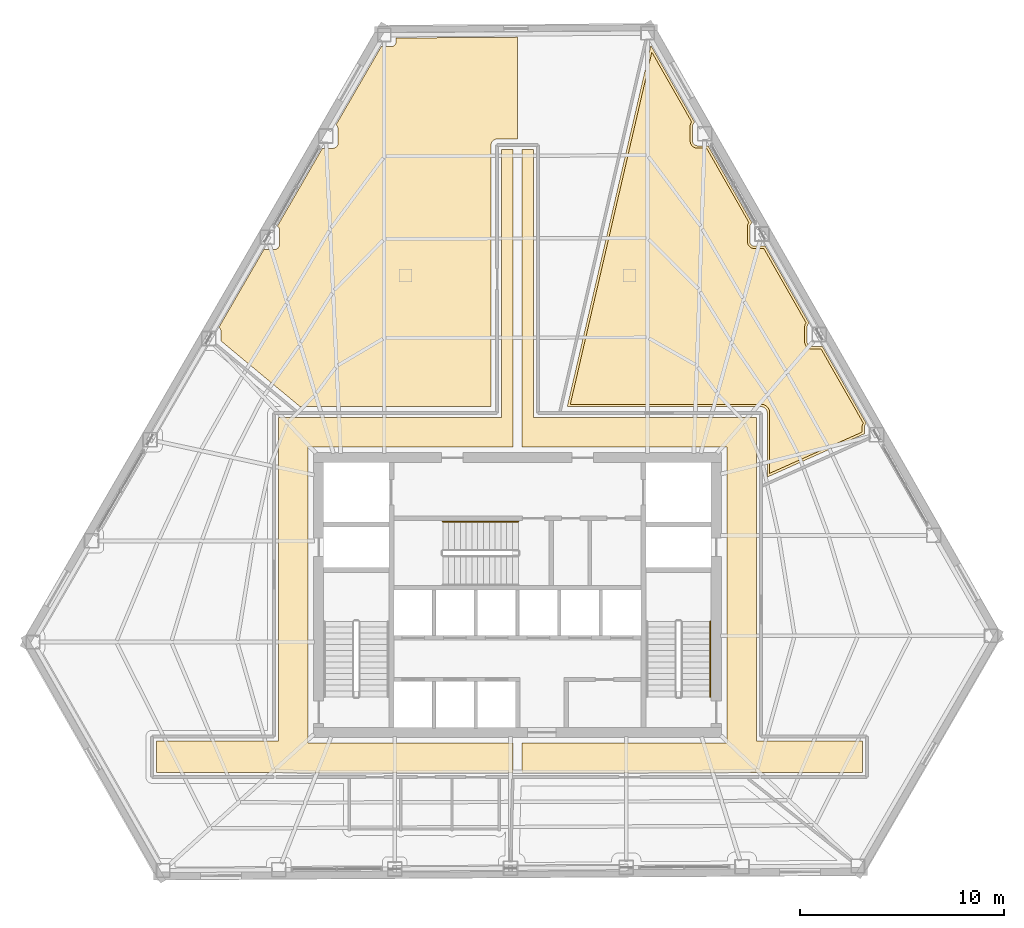
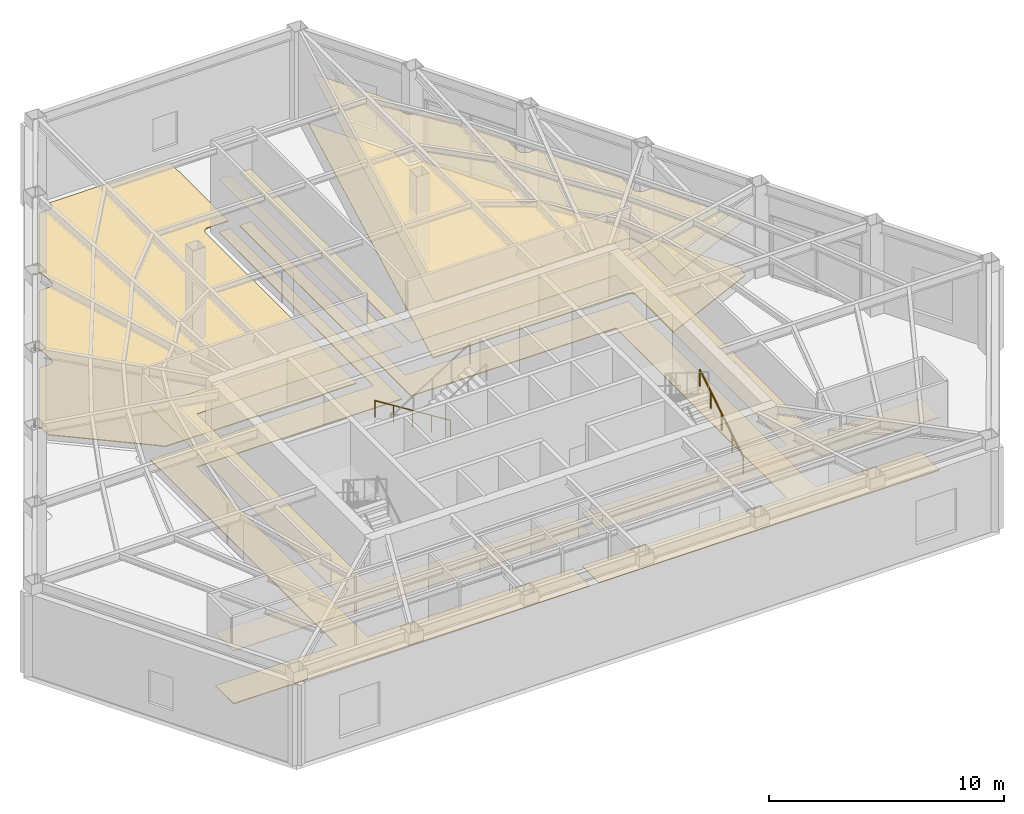
# One storey, part 14 of 14: 7 coverings, 2 railings.
"""IFC4 building model written with IfcOpenShell, lengths in metres."""

from ifc_helpers import new_model, si_unit, direction, frame, origin, origin_2d, place, context, subcontext, project, spatial, polyline, circle, outline, extrude, material, layer, layer_set, type_object, element, save


model = new_model("IFC4")

# Units and contexts
model_context = context("Model", 3, precision=1e-05, world=origin(), true_north=direction((0.0, 1.0)))
body_context = subcontext(model_context, "Body", "Model", "MODEL_VIEW")
ifc_project = project(units=[si_unit("LENGTHUNIT", "METRE"), si_unit("AREAUNIT", "SQUARE_METRE"), si_unit("VOLUMEUNIT", "CUBIC_METRE"), si_unit("PLANEANGLEUNIT", "RADIAN"), si_unit("MASSUNIT", "GRAM", prefix="KILO")], contexts=[model_context])

# Site, building, storey
site_placement = place(None, origin())
site = spatial("IfcSite", under=ifc_project, at=site_placement, CompositionType="ELEMENT")
building_placement = place(site_placement, origin())
building = spatial("IfcBuilding", under=site, at=building_placement, Name="Kavelnor Concourse Tower", CompositionType="ELEMENT")
storey_placement = place(building_placement, frame((0.0, 0.0, 80.5)))
storey = spatial("IfcBuildingStorey", under=building, at=storey_placement, Name="L20", CompositionType="ELEMENT", Elevation=80.5)

# Coverings
ifc_material_1 = material(Name="Mineral fibre acoustic ceiling tile")
ifc_layer_1 = layer(ifc_material_1, 0.0400390625, Name="Mineral fibre acoustic ceiling tile")
ifc_layer_set_1 = layer_set([ifc_layer_1], Name="Mineral fibre acoustic ceiling tile")
covering_type_1 = type_object("IfcCoveringType", Name="COV-CEILING-ACOUSTIC", PredefinedType="CEILING", material=ifc_layer_set_1)
covering_1_placement = place(storey_placement, frame((0.0, 0.0, 2.75)))
element("IfcCovering", 1, at=covering_1_placement, inside=storey, type_object=covering_type_1, Name="L20 Suspended Acoustic Ceiling", PredefinedType="CEILING", context=body_context, shape_type="SweptSolid", body=[
    extrude(outline(polyline([(37.219970703125, 37.97998046875), (37.77490234375, 37.97998046875), (37.77490234375, 23.3701171875), (27.7099609375, 23.3701171875), (27.7099609375, 8.830078125), (37.77490234375, 8.830078125), (37.77490234375, 7.3701171875), (20.26953125, 7.3701171875), (20.26953125, 8.929931640625), (26.25, 8.929931640625), (26.25, 24.830078125), (37.219970703125, 24.830078125), (37.219970703125, 37.97998046875)])), origin(), (0.0, 0.0, 1.0), 0.0400390625),
])
covering_2_placement = place(storey_placement, frame((0.0, 0.0, 2.75)))
element("IfcCovering", 2, at=covering_2_placement, inside=storey, type_object=covering_type_1, Name="L20 Suspended Acoustic Ceiling", PredefinedType="CEILING", context=body_context, shape_type="SweptSolid", body=[
    extrude(outline(polyline([(38.780029296875, 37.97998046875), (38.780029296875, 24.830078125), (49.75, 24.830078125), (49.75, 8.929931640625), (54.9619140625, 8.929931640625), (54.9619140625, 7.3701171875), (38.22509765625, 7.3701171875), (38.22509765625, 8.830078125), (48.2900390625, 8.830078125), (48.2900390625, 23.3701171875), (38.22509765625, 23.3701171875), (38.22509765625, 37.97998046875), (38.780029296875, 37.97998046875)])), origin(), (0.0, 0.0, 1.0), 0.0400390625),
])
covering_3_placement = place(storey_placement, frame((0.0, 0.0, 2.75)))
element("IfcCovering", 3, at=covering_3_placement, inside=storey, type_object=covering_type_1, Name="L20 Suspended Acoustic Ceiling", PredefinedType="CEILING", context=body_context, shape_type="SweptSolid", body=[
    extrude(outline(polyline([(46.527099609375, 39.30126953125), (46.511962890625, 39.269287109375), (46.5, 39.23583984375), (46.491455078125, 39.20166015625), (46.486083984375, 39.16650390625), (46.48486328125, 39.1396484375), (46.48486328125, 38.403076171875), (46.486083984375, 38.3759765625), (46.491455078125, 38.341064453125), (46.5, 38.306640625), (46.511962890625, 38.2734375), (46.527099609375, 38.241455078125), (46.545166015625, 38.211181640625), (46.56640625, 38.1826171875), (46.590087890625, 38.156494140625), (46.6162109375, 38.1328125), (46.644775390625, 38.111572265625), (46.675048828125, 38.093505859375), (46.70703125, 38.078369140625), (46.740234375, 38.06640625), (46.774658203125, 38.057861328125), (46.8095703125, 38.052490234375), (46.836669921875, 38.05126953125), (47.293212890625, 38.05126953125), (49.3681640625, 34.410888671875), (49.35791015625, 34.397216796875), (49.339599609375, 34.36669921875), (49.32470703125, 34.334716796875), (49.312744140625, 34.301513671875), (49.30419921875, 34.26708984375), (49.298828125, 34.232177734375), (49.297607421875, 34.205078125), (49.297607421875, 33.468505859375), (49.298828125, 33.441650390625), (49.30419921875, 33.406494140625), (49.312744140625, 33.372314453125), (49.32470703125, 33.339111328125), (49.339599609375, 33.306884765625), (49.35791015625, 33.276611328125), (49.37890625, 33.248291015625), (49.40283203125, 33.22216796875), (49.428955078125, 33.1982421875), (49.45751953125, 33.17724609375), (49.48779296875, 33.158935546875), (49.519775390625, 33.143798828125), (49.552978515625, 33.132080078125), (49.58740234375, 33.123291015625), (49.622314453125, 33.1181640625), (49.6494140625, 33.116943359375), (50.105712890625, 33.116943359375), (52.180908203125, 29.476318359375), (52.170654296875, 29.462646484375), (52.15234375, 29.432373046875), (52.13720703125, 29.400390625), (52.12548828125, 29.366943359375), (52.11669921875, 29.332763671875), (52.111572265625, 29.297607421875), (52.1103515625, 29.270751953125), (52.1103515625, 28.5341796875), (52.111572265625, 28.507080078125), (52.11669921875, 28.47216796875), (52.12548828125, 28.437744140625), (52.13720703125, 28.404541015625), (52.15234375, 28.37255859375), (52.170654296875, 28.34228515625), (52.191650390625, 28.313720703125), (52.215576171875, 28.28759765625), (52.24169921875, 28.263916015625), (52.27001953125, 28.24267578125), (52.30029296875, 28.224609375), (52.33251953125, 28.20947265625), (52.36572265625, 28.197509765625), (52.39990234375, 28.18896484375), (52.43505859375, 28.18359375), (52.4619140625, 28.182373046875), (52.91845703125, 28.182373046875), (54.993408203125, 24.5419921875), (54.9833984375, 24.528076171875), (54.965087890625, 24.497802734375), (54.949951171875, 24.4658203125), (54.93798828125, 24.4326171875), (54.929443359375, 24.398193359375), (54.92431640625, 24.36328125), (54.923095703125, 24.336181640625), (54.923095703125, 24.101318359375), (50.392578125, 22.080810546875), (50.392578125, 25.058349609375), (50.390869140625, 25.091552734375), (50.384765625, 25.132568359375), (50.374755859375, 25.1728515625), (50.360595703125, 25.2119140625), (50.343017578125, 25.24951171875), (50.321533203125, 25.284912109375), (50.296875, 25.318359375), (50.26904296875, 25.34912109375), (50.23828125, 25.376953125), (50.205078125, 25.401611328125), (50.16943359375, 25.423095703125), (50.1318359375, 25.440673828125), (50.0927734375, 25.45458984375), (50.052490234375, 25.46484375), (50.011474609375, 25.470947265625), (49.978271484375, 25.472412109375), (40.59619140625, 25.472412109375), (44.60205078125, 42.772216796875), (46.555419921875, 39.34521484375), (46.545166015625, 39.33154296875), (46.527099609375, 39.30126953125)])), origin(), (0.0, 0.0, 1.0), 0.0400390625),
])
ifc_material_2 = material(Name="Honed bluestone and raised access floor finish", Category="masonry")
ifc_layer_2 = layer(ifc_material_2, 0.0400390625, Name="Honed bluestone and raised access floor finish")
ifc_layer_set_2 = layer_set([ifc_layer_2], Name="Honed bluestone and raised access floor finish")
covering_type_2 = type_object("IfcCoveringType", Name="COV-FLOOR-STONE", PredefinedType="FLOORING", material=ifc_layer_set_2)
covering_4_placement = place(storey_placement, frame((0.0, 0.0, 0.001953125)))
element("IfcCovering", 4, at=covering_4_placement, inside=storey, type_object=covering_type_2, Name="L20 Honed Bluestone Floor Finish", PredefinedType="FLOORING", context=body_context, shape_type="SweptSolid", body=[
    extrude(outline(polyline([(37.219970703125, 37.97998046875), (37.77490234375, 37.97998046875), (37.77490234375, 23.3701171875), (27.7099609375, 23.3701171875), (27.7099609375, 8.830078125), (37.77490234375, 8.830078125), (37.77490234375, 7.3701171875), (20.26953125, 7.3701171875), (20.26953125, 8.929931640625), (26.25, 8.929931640625), (26.25, 24.830078125), (37.219970703125, 24.830078125), (37.219970703125, 37.97998046875)])), origin(), (0.0, 0.0, 1.0), 0.0400390625),
])
covering_5_placement = place(storey_placement, frame((0.0, 0.0, 0.001953125)))
element("IfcCovering", 5, at=covering_5_placement, inside=storey, type_object=covering_type_2, Name="L20 Honed Bluestone Floor Finish", PredefinedType="FLOORING", context=body_context, shape_type="SweptSolid", body=[
    extrude(outline(polyline([(38.780029296875, 37.97998046875), (38.780029296875, 24.830078125), (49.75, 24.830078125), (49.75, 8.929931640625), (54.9619140625, 8.929931640625), (54.9619140625, 7.3701171875), (38.22509765625, 7.3701171875), (38.22509765625, 8.830078125), (48.2900390625, 8.830078125), (48.2900390625, 23.3701171875), (38.22509765625, 23.3701171875), (38.22509765625, 37.97998046875), (38.780029296875, 37.97998046875)])), origin(), (0.0, 0.0, 1.0), 0.0400390625),
])
covering_6_placement = place(storey_placement, frame((0.0, 0.0, 0.001953125)))
element("IfcCovering", 6, at=covering_6_placement, inside=storey, type_object=covering_type_2, Name="L20 Honed Bluestone Floor Finish", PredefinedType="FLOORING", context=body_context, shape_type="SweptSolid", body=[
    extrude(outline(polyline([(46.675048828125, 39.30126953125), (46.6591796875, 39.28369140625), (46.64501953125, 39.264892578125), (46.633056640625, 39.24462890625), (46.622802734375, 39.22314453125), (46.614990234375, 39.200927734375), (46.609375, 39.17822265625), (46.605712890625, 39.15478515625), (46.60498046875, 39.13671875), (46.60498046875, 38.406005859375), (46.605712890625, 38.3876953125), (46.609375, 38.364501953125), (46.614990234375, 38.341552734375), (46.622802734375, 38.3193359375), (46.633056640625, 38.298095703125), (46.64501953125, 38.27783203125), (46.6591796875, 38.2587890625), (46.675048828125, 38.241455078125), (46.6923828125, 38.2255859375), (46.71142578125, 38.21142578125), (46.731689453125, 38.199462890625), (46.7529296875, 38.189208984375), (46.775146484375, 38.181396484375), (46.798095703125, 38.17578125), (46.8212890625, 38.172119140625), (46.839599609375, 38.17138671875), (47.36279296875, 38.17138671875), (49.51708984375, 34.3916015625), (49.505126953125, 34.382568359375), (49.48779296875, 34.36669921875), (49.471923828125, 34.349365234375), (49.457763671875, 34.330322265625), (49.44580078125, 34.310302734375), (49.435546875, 34.288818359375), (49.427734375, 34.2666015625), (49.422119140625, 34.243896484375), (49.41845703125, 34.220458984375), (49.41748046875, 34.202392578125), (49.41748046875, 33.471435546875), (49.41845703125, 33.453369140625), (49.422119140625, 33.429931640625), (49.427734375, 33.4072265625), (49.435546875, 33.385009765625), (49.44580078125, 33.363525390625), (49.457763671875, 33.343505859375), (49.471923828125, 33.324462890625), (49.48779296875, 33.306884765625), (49.505126953125, 33.291259765625), (49.524169921875, 33.277099609375), (49.544189453125, 33.264892578125), (49.565673828125, 33.2548828125), (49.587890625, 33.2470703125), (49.610595703125, 33.2412109375), (49.634033203125, 33.23779296875), (49.652099609375, 33.23681640625), (50.17529296875, 33.23681640625), (52.330078125, 29.45703125), (52.31787109375, 29.447998046875), (52.30029296875, 29.432373046875), (52.28466796875, 29.414794921875), (52.2705078125, 29.39599609375), (52.25830078125, 29.375732421875), (52.248291015625, 29.354248046875), (52.240478515625, 29.33203125), (52.234619140625, 29.309326171875), (52.231201171875, 29.285888671875), (52.230224609375, 29.267822265625), (52.230224609375, 28.537109375), (52.231201171875, 28.518798828125), (52.234619140625, 28.49560546875), (52.240478515625, 28.47265625), (52.248291015625, 28.450439453125), (52.25830078125, 28.42919921875), (52.2705078125, 28.408935546875), (52.28466796875, 28.389892578125), (52.30029296875, 28.37255859375), (52.31787109375, 28.356689453125), (52.3369140625, 28.342529296875), (52.35693359375, 28.33056640625), (52.37841796875, 28.3203125), (52.400634765625, 28.3125), (52.42333984375, 28.306884765625), (52.44677734375, 28.30322265625), (52.46484375, 28.302490234375), (52.988037109375, 28.302490234375), (55.142578125, 24.522705078125), (55.130615234375, 24.513671875), (55.113037109375, 24.497802734375), (55.097412109375, 24.480224609375), (55.083251953125, 24.46142578125), (55.071044921875, 24.441162109375), (55.06103515625, 24.419921875), (55.052978515625, 24.397705078125), (55.04736328125, 24.374755859375), (55.0439453125, 24.3515625), (55.04296875, 24.333251953125), (55.04296875, 24.023193359375), (50.2724609375, 21.89599609375), (50.2724609375, 25.055419921875), (50.271240234375, 25.07958984375), (50.266845703125, 25.109130859375), (50.259765625, 25.137939453125), (50.249755859375, 25.166015625), (50.237060546875, 25.192626953125), (50.2216796875, 25.21826171875), (50.2041015625, 25.2421875), (50.18408203125, 25.26416015625), (50.162109375, 25.283935546875), (50.13818359375, 25.3017578125), (50.11279296875, 25.31689453125), (50.0859375, 25.32958984375), (50.057861328125, 25.339599609375), (50.029052734375, 25.346923828125), (49.999755859375, 25.351318359375), (49.975341796875, 25.3525390625), (40.4453125, 25.3525390625), (44.55419921875, 43.098388671875), (46.70458984375, 39.325927734375), (46.6923828125, 39.31689453125), (46.675048828125, 39.30126953125)])), origin(), (0.0, 0.0, 1.0), 0.0400390625),
])
covering_7_placement = place(storey_placement, frame((0.0, 0.0, 0.001953125)))
element("IfcCovering", 7, at=covering_7_placement, inside=storey, type_object=covering_type_2, Name="L20 Honed Bluestone Floor Finish", PredefinedType="FLOORING", context=body_context, shape_type="SweptSolid", body=[
    extrude(outline(polyline([(26.08740234375, 33.078125), (26.110595703125, 33.08154296875), (26.13330078125, 33.08740234375), (26.155517578125, 33.09521484375), (26.177001953125, 33.105224609375), (26.197265625, 33.117431640625), (26.216064453125, 33.131591796875), (26.233642578125, 33.147216796875), (26.24951171875, 33.164794921875), (26.263427734375, 33.18359375), (26.275634765625, 33.203857421875), (26.28564453125, 33.225341796875), (26.293701171875, 33.24755859375), (26.29931640625, 33.270263671875), (26.302734375, 33.293701171875), (26.3037109375, 33.311767578125), (26.3037109375, 34.04248046875), (26.302734375, 34.060791015625), (26.29931640625, 34.083984375), (26.293701171875, 34.10693359375), (26.28564453125, 34.129150390625), (26.275634765625, 34.150390625), (26.263427734375, 34.170654296875), (26.24951171875, 34.189697265625), (26.233642578125, 34.20703125), (26.216064453125, 34.222900390625), (26.207763671875, 34.22900390625), (28.41845703125, 38.050048828125), (28.946044921875, 38.050048828125), (28.96435546875, 38.05078125), (28.987548828125, 38.054443359375), (29.010498046875, 38.06005859375), (29.03271484375, 38.068115234375), (29.053955078125, 38.078125), (29.07421875, 38.090087890625), (29.093017578125, 38.104248046875), (29.110595703125, 38.1201171875), (29.12646484375, 38.1376953125), (29.140380859375, 38.156494140625), (29.152587890625, 38.1767578125), (29.16259765625, 38.197998046875), (29.170654296875, 38.22021484375), (29.17626953125, 38.2431640625), (29.1796875, 38.266357421875), (29.1806640625, 38.28466796875), (29.1806640625, 39.015380859375), (29.1796875, 39.03369140625), (29.17626953125, 39.056884765625), (29.170654296875, 39.07958984375), (29.16259765625, 39.101806640625), (29.152587890625, 39.123291015625), (29.140380859375, 39.1435546875), (29.12646484375, 39.162353515625), (29.110595703125, 39.179931640625), (29.093017578125, 39.19580078125), (29.084716796875, 39.201904296875), (31.306884765625, 43.042724609375), (31.802978515625, 43.042724609375), (31.8212890625, 43.043701171875), (31.844482421875, 43.047119140625), (31.867431640625, 43.052978515625), (31.8896484375, 43.060791015625), (31.910888671875, 43.07080078125), (31.93115234375, 43.0830078125), (31.9501953125, 43.09716796875), (31.967529296875, 43.11279296875), (31.9833984375, 43.13037109375), (31.99755859375, 43.1494140625), (32.009521484375, 43.16943359375), (32.019775390625, 43.19091796875), (32.027587890625, 43.213134765625), (32.033203125, 43.23583984375), (32.036865234375, 43.25927734375), (32.03759765625, 43.27734375), (32.03759765625, 43.466552734375), (37.9951171875, 43.504638671875), (37.9951171875, 38.50244140625), (36.99462890625, 38.50244140625), (36.97021484375, 38.501220703125), (36.94091796875, 38.496826171875), (36.912109375, 38.48974609375), (36.884033203125, 38.479736328125), (36.857421875, 38.467041015625), (36.831787109375, 38.45166015625), (36.807861328125, 38.43408203125), (36.785888671875, 38.4140625), (36.76611328125, 38.39208984375), (36.748291015625, 38.3681640625), (36.73291015625, 38.3427734375), (36.72021484375, 38.31591796875), (36.710205078125, 38.287841796875), (36.703125, 38.259033203125), (36.69873046875, 38.229736328125), (36.697509765625, 38.205322265625), (36.697509765625, 25.3525390625), (27.323486328125, 25.3525390625), (23.4267578125, 28.589599609375), (23.4267578125, 29.06982421875), (23.42578125, 29.087890625), (23.42236328125, 29.111328125), (23.41650390625, 29.134033203125), (23.40869140625, 29.15625), (23.398681640625, 29.177734375), (23.386474609375, 29.197998046875), (23.372314453125, 29.216796875), (23.356689453125, 29.234375), (23.339111328125, 29.25), (23.330810546875, 29.25634765625), (25.54150390625, 33.0771484375), (26.069091796875, 33.0771484375), (26.08740234375, 33.078125)])), origin(), (0.0, 0.0, 1.0), 0.0400390625),
])

# Railings
ifc_material_3 = material(Name="Steel Grade 350", Category="steel")
railing_type = type_object("IfcRailingType", Name="RLG-HANDRAIL-900", PredefinedType="HANDRAIL", material=ifc_material_3)
railing_1_placement = place(storey_placement, frame((47.469970703125, 11.10009765625, 0.178466796875)))
element("IfcRailing", 8, at=railing_1_placement, inside=storey, type_object=railing_type, Name="L20 ST2 stair handrail 1", PredefinedType="HANDRAIL", context=body_context, shape_type="SweptSolid", body=[
    extrude(circle(Radius=0.02392578125, at=origin_2d()), frame((0.0, 0.0, 0.8759765625), z_axis=(0.0, 0.847379717373, 0.530987395881), x_axis=(-1.0, 0.0, 0.0)), (0.0, 0.0, 1.0), 4.3720703125),
    extrude(circle(Radius=0.02099609375, at=origin_2d()), origin(), (0.0, 0.0, 1.0), 0.851806640625),
    extrude(circle(Radius=0.02099609375, at=origin_2d()), frame((0.0, 0.92626953125, 0.580322265625)), (0.0, 0.0, 1.0), 0.851806640625),
    extrude(circle(Radius=0.02099609375, at=origin_2d()), frame((0.0, 1.8525390625, 1.16064453125)), (0.0, 0.0, 1.0), 0.851806640625),
    extrude(circle(Radius=0.02099609375, at=origin_2d()), frame((0.0, 2.778564453125, 1.7412109375)), (0.0, 0.0, 1.0), 0.851806640625),
    extrude(circle(Radius=0.02099609375, at=origin_2d()), frame((0.0, 3.704833984375, 2.321533203125)), (0.0, 0.0, 1.0), 0.851806640625),
])
railing_2_placement = place(storey_placement, frame((38.0400390625, 19.7099609375, 0.178466796875)))
element("IfcRailing", 9, at=railing_2_placement, inside=storey, type_object=railing_type, Name="L20 ST3 stair handrail 1", PredefinedType="HANDRAIL", context=body_context, shape_type="SweptSolid", body=[
    extrude(circle(Radius=0.02392578125, at=origin_2d()), frame((0.0, 0.0, 0.8759765625), z_axis=(-0.847395460354, 0.0, 0.530962271514), x_axis=(0.0, -1.0, 0.0)), (0.0, 0.0, 1.0), 4.372314453125),
    extrude(circle(Radius=0.02099609375, at=origin_2d()), origin(), (0.0, 0.0, 1.0), 0.851806640625),
    extrude(circle(Radius=0.02099609375, at=origin_2d()), frame((-0.92626953125, 0.0, 0.580322265625)), (0.0, 0.0, 1.0), 0.851806640625),
    extrude(circle(Radius=0.02099609375, at=origin_2d()), frame((-1.8525390625, 0.0, 1.16064453125)), (0.0, 0.0, 1.0), 0.851806640625),
    extrude(circle(Radius=0.02099609375, at=origin_2d()), frame((-2.77880859375, 0.0, 1.7412109375)), (0.0, 0.0, 1.0), 0.851806640625),
    extrude(circle(Radius=0.02099609375, at=origin_2d()), frame((-3.705078125, 0.0, 2.321533203125)), (0.0, 0.0, 1.0), 0.851806640625),
])

save(model, "model.ifc")
